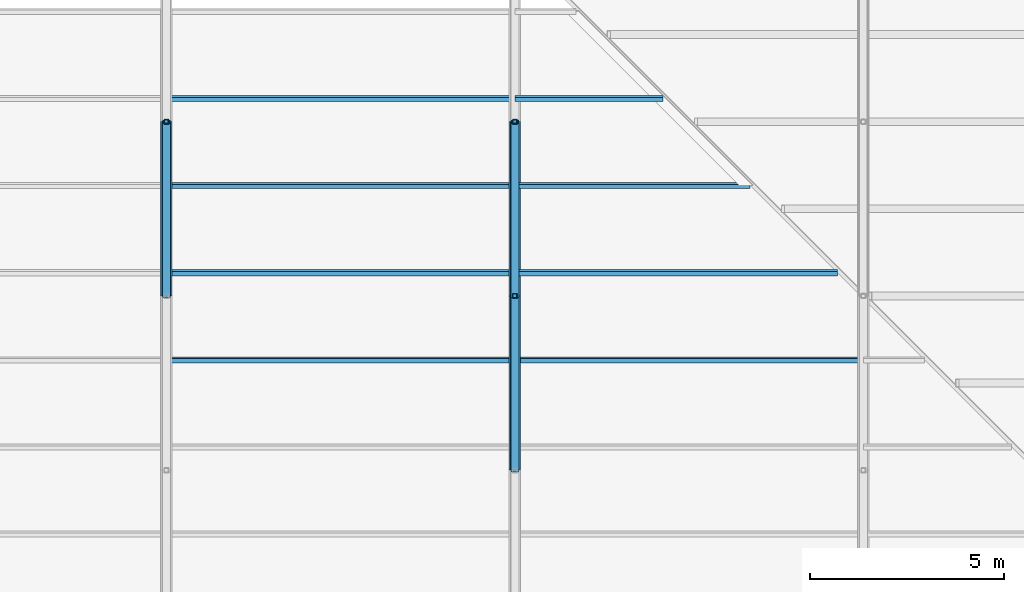
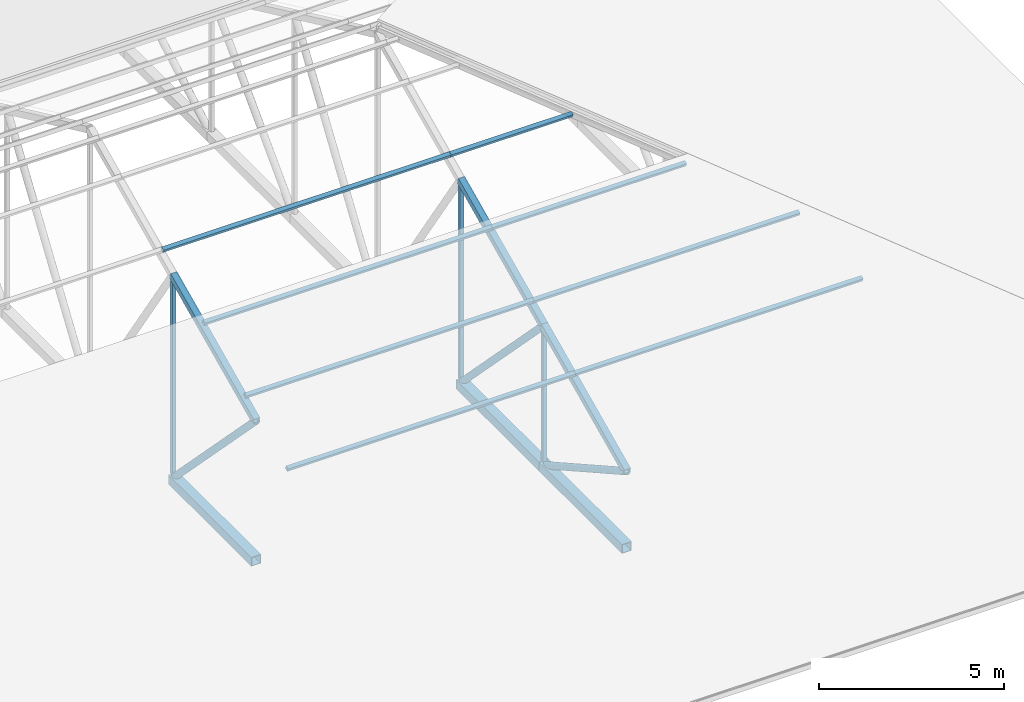
# One storey, part 64 of 154: 20 members.
"""IFC4 building model written with IfcOpenShell, lengths in metres."""

from ifc_helpers import new_model, si_unit, direction, frame, origin, origin_2d, place, context, subcontext, project, spatial, hollow_rectangle, hollow_circle, extrude, material, material_profile, profile_set, type_object, element, save


model = new_model("IFC4")

# Units and contexts
model_context = context("Model", 3, precision=1e-05, world=origin(), true_north=direction((0.0, 1.0)))
body_context = subcontext(model_context, "Body", "Model", "MODEL_VIEW")
ifc_project = project(units=[si_unit("LENGTHUNIT", "METRE"), si_unit("AREAUNIT", "SQUARE_METRE"), si_unit("VOLUMEUNIT", "CUBIC_METRE"), si_unit("PLANEANGLEUNIT", "RADIAN"), si_unit("MASSUNIT", "GRAM", prefix="KILO")], contexts=[model_context])

# Site, building, storey
site_placement = place(None, origin())
site = spatial("IfcSite", under=ifc_project, at=site_placement, CompositionType="ELEMENT")
building_placement = place(site_placement, origin())
building = spatial("IfcBuilding", under=site, at=building_placement, Name="Golden Quay Civic Hall", CompositionType="ELEMENT")
storey_placement = place(building_placement, frame((0.0, 0.0, 14.39990234375)))
storey = spatial("IfcBuildingStorey", under=building, at=storey_placement, Name="L03", CompositionType="ELEMENT", Elevation=14.39990234375)

# Members
ifc_material_1 = material(Name="Steel S355", Category="steel")
ifc_material_profile_1 = material_profile(ifc_material_1, hollow_rectangle(XDim=0.1201171875, YDim=0.1201171875, WallThickness=0.008056640625, at=origin_2d()), Name="SHS 120x120x8")
ifc_profile_set_1 = profile_set([ifc_material_profile_1], Name="Steel S355")
member_type_1 = type_object("IfcMemberType", Name="Steel roof purlin SHS 120x120x8", PredefinedType="PURLIN", material=ifc_profile_set_1)
for number, where, z_axis, x_axis, name in (
    (1, (144.0, 70.35009765625, 3.931884765625), (1.0, 0.0, 0.0), (0.0, 0.906307787037, 0.422618261741), "Purlin south 5-4 L03"),
    (2, (153.0, 70.35009765625, 3.931884765625), (1.0, 0.0, 0.0), (0.0, 0.906307787037, 0.422618261741), "Purlin south 5-5 L03"),
    (3, (144.0, 72.60009765625, 4.981201171875), (1.0, 0.0, 0.0), (0.0, 0.906307787037, 0.422618261741), "Purlin south 6-3 L03"),
):
    element("IfcMember", number, at=place(storey_placement, frame(where, z_axis=z_axis, x_axis=x_axis)), inside=storey, type_object=member_type_1, Name=name, PredefinedType="PURLIN", context=body_context, shape_type="SweptSolid", body=[
        extrude(hollow_rectangle(XDim=0.1201171875, YDim=0.1201171875, WallThickness=0.008056640625, at=origin_2d()), origin(), (0.0, 0.0, 1.0), 9.0),
    ])
member_1_placement = place(storey_placement, frame((153.0, 72.60009765625, 4.981201171875), z_axis=(1.0, 0.0, 0.0), x_axis=(0.0, 0.906307787037, 0.422618261741)))
element("IfcMember", 4, at=member_1_placement, inside=storey, type_object=member_type_1, Name="Purlin south 6-4 L03", PredefinedType="PURLIN", context=body_context, shape_type="SweptSolid", body=[
    extrude(hollow_rectangle(XDim=0.1201171875, YDim=0.1201171875, WallThickness=0.008056640625, at=origin_2d()), origin(), (0.0, 0.0, 1.0), 8.324951171875),
])
member_2_placement = place(storey_placement, frame((144.0, 74.85009765625, 6.0302734375), z_axis=(1.0, 0.0, 0.0), x_axis=(0.0, 0.906307787037, 0.422618261741)))
element("IfcMember", 5, at=member_2_placement, inside=storey, type_object=member_type_1, Name="Purlin south 7-3 L03", PredefinedType="PURLIN", context=body_context, shape_type="SweptSolid", body=[
    extrude(hollow_rectangle(XDim=0.1201171875, YDim=0.1201171875, WallThickness=0.008056640625, at=origin_2d()), origin(), (0.0, 0.0, 1.0), 9.0),
])
member_3_placement = place(storey_placement, frame((153.0, 74.85009765625, 6.0302734375), z_axis=(1.0, 0.0, 0.0), x_axis=(0.0, 0.906307787037, 0.422618261741)))
element("IfcMember", 6, at=member_3_placement, inside=storey, type_object=member_type_1, Name="Purlin south 7-4 L03", PredefinedType="PURLIN", context=body_context, shape_type="SweptSolid", body=[
    extrude(hollow_rectangle(XDim=0.1201171875, YDim=0.1201171875, WallThickness=0.008056640625, at=origin_2d()), origin(), (0.0, 0.0, 1.0), 6.074951171875),
])
member_4_placement = place(storey_placement, frame((144.0, 77.10009765625, 7.07958984375), z_axis=(1.0, 0.0, 0.0), x_axis=(0.0, 0.906307787037, 0.422618261741)))
element("IfcMember", 7, at=member_4_placement, inside=storey, type_object=member_type_1, Name="Purlin south 8-3 L03", PredefinedType="PURLIN", context=body_context, shape_type="SweptSolid", body=[
    extrude(hollow_rectangle(XDim=0.1201171875, YDim=0.1201171875, WallThickness=0.008056640625, at=origin_2d()), origin(), (0.0, 0.0, 1.0), 9.0),
])
member_5_placement = place(storey_placement, frame((153.0, 77.10009765625, 7.07958984375), z_axis=(1.0, 0.0, 0.0), x_axis=(0.0, 0.906307787037, 0.422618261741)))
element("IfcMember", 8, at=member_5_placement, inside=storey, type_object=member_type_1, Name="Purlin south 8-4 L03", PredefinedType="PURLIN", context=body_context, shape_type="SweptSolid", body=[
    extrude(hollow_rectangle(XDim=0.1201171875, YDim=0.1201171875, WallThickness=0.008056640625, at=origin_2d()), origin(), (0.0, 0.0, 1.0), 3.824951171875),
])
ifc_material_2 = material(Name="Steel S355", Category="steel")
ifc_material_profile_2 = material_profile(ifc_material_2, hollow_rectangle(XDim=0.300048828125, YDim=0.300048828125, WallThickness=0.01611328125, at=origin_2d()), Name="SHS 300x300x16")
ifc_profile_set_2 = profile_set([ifc_material_profile_2], Name="Steel S355")
member_type_2 = type_object("IfcMemberType", Name="Steel truss bottom chord SHS 300x300x16", PredefinedType="USERDEFINED", material=ifc_profile_set_2)
for number, where, z_axis, x_axis, name in (
    (9, (144.0, 72.0, -0.099853515625), (0.0, 1.0, 0.0), (-1.0, 0.0, 0.0), "Truss 144 bottom chord 3 L03"),
    (10, (153.0, 67.5, -0.099853515625), (0.0, 1.0, 0.0), (-1.0, 0.0, 0.0), "Truss 153 bottom chord 2 L03"),
    (11, (153.0, 72.0, -0.099853515625), (0.0, 1.0, 0.0), (-1.0, 0.0, 0.0), "Truss 153 bottom chord 3 L03"),
):
    element("IfcMember", number, at=place(storey_placement, frame(where, z_axis=z_axis, x_axis=x_axis)), inside=storey, type_object=member_type_2, Name=name, ObjectType="TRUSS BOTTOM CHORD", PredefinedType="USERDEFINED", context=body_context, shape_type="SweptSolid", body=[
        extrude(hollow_rectangle(XDim=0.300048828125, YDim=0.300048828125, WallThickness=0.01611328125, at=origin_2d()), origin(), (0.0, 0.0, 1.0), 4.5),
    ])
ifc_material_3 = material(Name="Steel S355", Category="steel")
ifc_material_profile_3 = material_profile(ifc_material_3, hollow_circle(Radius=0.109619140625, WallThickness=0.010009765625, at=origin_2d()), Name="CHS 219.1x10")
ifc_profile_set_3 = profile_set([ifc_material_profile_3], Name="Steel S355")
member_type_3 = type_object("IfcMemberType", Name="Steel truss diagonal CHS 219.1x10", PredefinedType="BRACE", material=ifc_profile_set_3)
member_6_placement = place(storey_placement, frame((144.0, 72.0, 4.52490234375), z_axis=(0.0, 0.697373869939, -0.716707531372), x_axis=(-1.0, 0.0, 0.0)))
element("IfcMember", 12, at=member_6_placement, inside=storey, type_object=member_type_3, Name="Truss 144 diagonal 3 L03", PredefinedType="BRACE", context=body_context, shape_type="SweptSolid", body=[
    extrude(hollow_circle(Radius=0.109619140625, WallThickness=0.010009765625, at=origin_2d()), origin(), (0.0, 0.0, 1.0), 6.452880859375),
])
member_7_placement = place(storey_placement, frame((153.0, 67.5, 2.426513671875), z_axis=(0.0, 0.871979533951, -0.489542329499), x_axis=(-1.0, 0.0, 0.0)))
element("IfcMember", 13, at=member_7_placement, inside=storey, type_object=member_type_3, Name="Truss 153 diagonal 2 L03", PredefinedType="BRACE", context=body_context, shape_type="SweptSolid", body=[
    extrude(hollow_circle(Radius=0.109619140625, WallThickness=0.010009765625, at=origin_2d()), origin(), (0.0, 0.0, 1.0), 5.16064453125),
])
member_8_placement = place(storey_placement, frame((153.0, 72.0, 4.52490234375), z_axis=(0.0, 0.697373869939, -0.716707531372), x_axis=(-1.0, 0.0, 0.0)))
element("IfcMember", 14, at=member_8_placement, inside=storey, type_object=member_type_3, Name="Truss 153 diagonal 3 L03", PredefinedType="BRACE", context=body_context, shape_type="SweptSolid", body=[
    extrude(hollow_circle(Radius=0.109619140625, WallThickness=0.010009765625, at=origin_2d()), origin(), (0.0, 0.0, 1.0), 6.452880859375),
])
ifc_material_4 = material(Name="Steel S355", Category="steel")
ifc_material_profile_4 = material_profile(ifc_material_4, hollow_rectangle(XDim=0.1201171875, YDim=0.1201171875, WallThickness=0.008056640625, at=origin_2d()), Name="SHS 120x120x8")
ifc_profile_set_4 = profile_set([ifc_material_profile_4], Name="Steel S355")
member_type_4 = type_object("IfcMemberType", Name="Steel truss post SHS 120x120x8", PredefinedType="USERDEFINED", material=ifc_profile_set_4)
member_9_placement = place(storey_placement, frame((144.0, 76.5, 0.050048828125), z_axis=(0.0, 0.0, 1.0), x_axis=(1.0, 0.0, 0.0)))
element("IfcMember", 15, at=member_9_placement, inside=storey, type_object=member_type_4, Name="Truss 144 post 4 L03", ObjectType="TRUSS POST", PredefinedType="USERDEFINED", context=body_context, shape_type="SweptSolid", body=[
    extrude(hollow_rectangle(XDim=0.1201171875, YDim=0.1201171875, WallThickness=0.008056640625, at=origin_2d()), origin(), (0.0, 0.0, 1.0), 6.462646484375),
])
member_10_placement = place(storey_placement, frame((153.0, 72.0, 0.050048828125), z_axis=(0.0, 0.0, 1.0), x_axis=(1.0, 0.0, 0.0)))
element("IfcMember", 16, at=member_10_placement, inside=storey, type_object=member_type_4, Name="Truss 153 post 3 L03", ObjectType="TRUSS POST", PredefinedType="USERDEFINED", context=body_context, shape_type="SweptSolid", body=[
    extrude(hollow_rectangle(XDim=0.1201171875, YDim=0.1201171875, WallThickness=0.008056640625, at=origin_2d()), origin(), (0.0, 0.0, 1.0), 4.364501953125),
])
member_11_placement = place(storey_placement, frame((153.0, 76.5, 0.050048828125), z_axis=(0.0, 0.0, 1.0), x_axis=(1.0, 0.0, 0.0)))
element("IfcMember", 17, at=member_11_placement, inside=storey, type_object=member_type_4, Name="Truss 153 post 4 L03", ObjectType="TRUSS POST", PredefinedType="USERDEFINED", context=body_context, shape_type="SweptSolid", body=[
    extrude(hollow_rectangle(XDim=0.1201171875, YDim=0.1201171875, WallThickness=0.008056640625, at=origin_2d()), origin(), (0.0, 0.0, 1.0), 6.462646484375),
])
ifc_material_5 = material(Name="Steel S355", Category="steel")
ifc_material_profile_5 = material_profile(ifc_material_5, hollow_rectangle(XDim=0.199951171875, YDim=0.199951171875, WallThickness=0.010009765625, at=origin_2d()), Name="SHS 200x200x10")
ifc_profile_set_5 = profile_set([ifc_material_profile_5], Name="Steel S355")
member_type_5 = type_object("IfcMemberType", Name="Steel truss top chord SHS 200x200x10", PredefinedType="USERDEFINED", material=ifc_profile_set_5)
for number, where, z_axis, x_axis, name in (
    (18, (144.0, 72.0, 4.52490234375), (0.0, 0.906307462258, 0.422618958231), (-1.0, 0.0, 0.0), "Truss 144 top chord 4 L03"),
    (19, (153.0, 67.5, 2.426513671875), (0.0, 0.906307462258, 0.422618958231), (-1.0, 0.0, 0.0), "Truss 153 top chord 3 L03"),
    (20, (153.0, 72.0, 4.52490234375), (0.0, 0.906307462258, 0.422618958231), (-1.0, 0.0, 0.0), "Truss 153 top chord 4 L03"),
):
    element("IfcMember", number, at=place(storey_placement, frame(where, z_axis=z_axis, x_axis=x_axis)), inside=storey, type_object=member_type_5, Name=name, ObjectType="TRUSS TOP CHORD", PredefinedType="USERDEFINED", context=body_context, shape_type="SweptSolid", body=[
        extrude(hollow_rectangle(XDim=0.199951171875, YDim=0.199951171875, WallThickness=0.010009765625, at=origin_2d()), origin(), (0.0, 0.0, 1.0), 4.965087890625),
    ])

save(model, "model.ifc")
